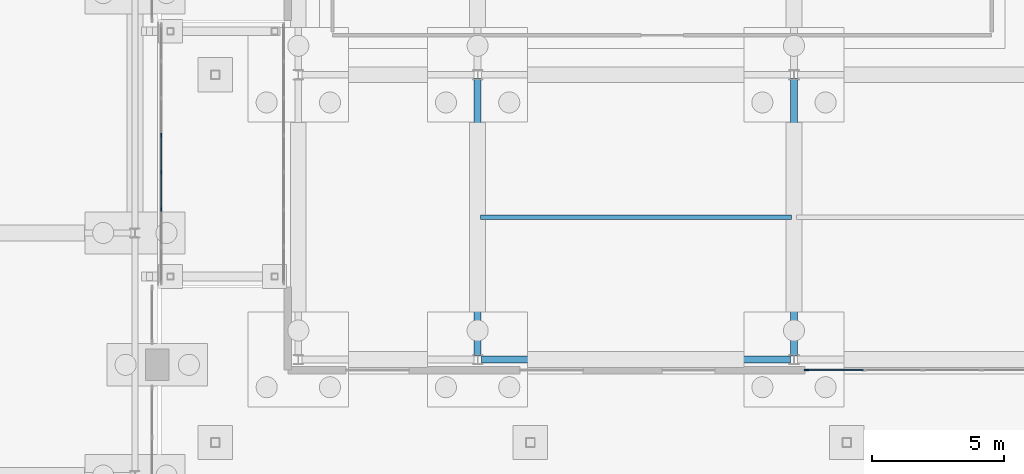
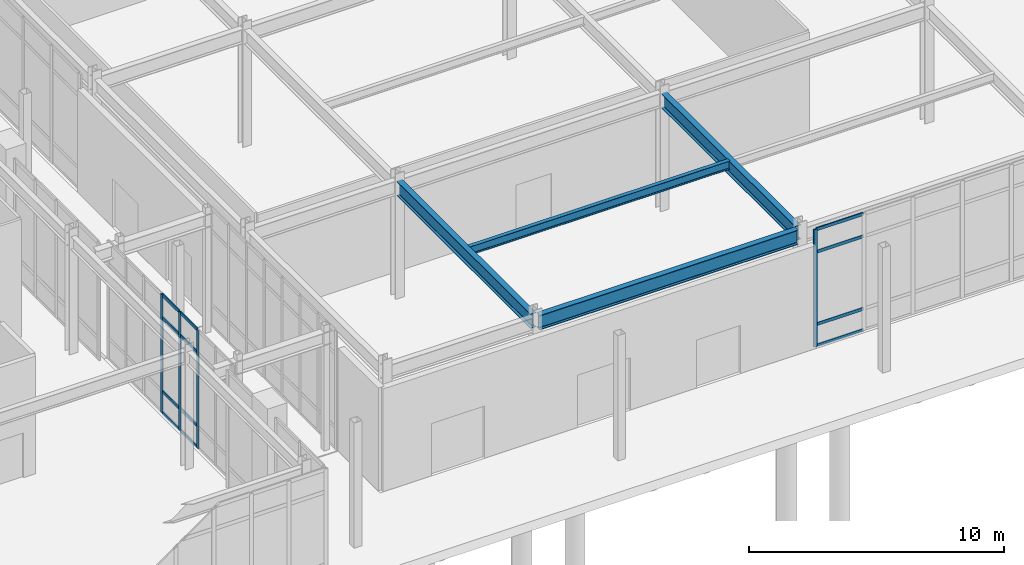
# One storey, part 56 of 143: 16 members, 4 beams, 2 elements without a shape of their own.
"""IFC4 building model written with IfcOpenShell, lengths in metres."""

from ifc_helpers import new_model, si_unit, derived_unit, direction, frame, origin, origin_2d, place, context, subcontext, project, spatial, rectangle, i_section, extrude, material, layer, layer_set, material_profile, profile_set, type_object, element, aggregate, save


model = new_model("IFC4")

# Units and contexts
model_context = context("Model", 3, precision=1e-05, world=origin(), true_north=direction((0.0, 1.0)))
body_context = subcontext(model_context, "Body", "Model", "MODEL_VIEW")
ifc_project = project(units=[si_unit("LENGTHUNIT", "METRE"), si_unit("AREAUNIT", "SQUARE_METRE"), si_unit("VOLUMEUNIT", "CUBIC_METRE"), si_unit("PLANEANGLEUNIT", "RADIAN"), si_unit("MASSUNIT", "GRAM", prefix="KILO"), derived_unit("THERMALTRANSMITTANCEUNIT", [(si_unit("MASSUNIT", "GRAM", prefix="KILO"), 1), (si_unit("TIMEUNIT", "SECOND"), -3), (si_unit("THERMODYNAMICTEMPERATUREUNIT", "KELVIN"), -1)])], contexts=[model_context])

# Site, building, storey
site_placement = place(None, origin())
site = spatial("IfcSite", under=ifc_project, at=site_placement, CompositionType="ELEMENT")
building_placement = place(site_placement, origin())
building = spatial("IfcBuilding", under=site, at=building_placement, Name="Valcora Ridge Arena", CompositionType="ELEMENT")
storey_placement = place(building_placement, origin())
storey = spatial("IfcBuildingStorey", under=building, at=storey_placement, Name="L00", CompositionType="ELEMENT", Elevation=0.0)

# Beams
ifc_material_1 = material(Name="Steel ASTM A572 Grade 50", Category="steel")
ifc_material_profile_1 = material_profile(ifc_material_1, i_section(OverallWidth=0.256103515625, OverallDepth=0.693115234375, WebThickness=0.014404296875, FlangeThickness=0.023681640625, FilletRadius=0.02001953125, at=origin_2d()), Name="W27X114")
ifc_profile_set_1 = profile_set([ifc_material_profile_1], Name="Steel ASTM A572 Grade 50")
beam_type_1 = type_object("IfcBeamType", Name="TY-BEAM-G-W27X114-Y", PredefinedType="BEAM", material=ifc_profile_set_1)
for number, where, z_axis, x_axis, name in (
    (1, (144.0, 5.340087890625, 5.2734375), (0.0, 1.0, 0.0), (-1.0, 0.0, 0.0), "G-W27X114-Y BEM-G-W27X114-Y-0007"),
    (2, (156.0, 5.340087890625, 5.2734375), (0.0, 1.0, 0.0), (-1.0, 0.0, 0.0), "G-W27X114-Y BEM-G-W27X114-Y-0013"),
):
    element("IfcBeam", number, at=place(storey_placement, frame(where, z_axis=z_axis, x_axis=x_axis)), inside=storey, type_object=beam_type_1, Name=name, PredefinedType="BEAM", context=body_context, shape_type="SweptSolid", body=[
        extrude(i_section(OverallWidth=0.256103515625, OverallDepth=0.693115234375, WebThickness=0.014404296875, FlangeThickness=0.023681640625, FilletRadius=0.02001953125, at=origin_2d()), origin(), (0.0, 0.0, 1.0), 10.52001953125),
    ])
ifc_material_profile_2 = material_profile(ifc_material_1, i_section(OverallWidth=0.177978515625, OverallDepth=0.406005859375, WebThickness=0.0078125, FlangeThickness=0.0126953125, FilletRadius=0.013916015625, at=origin_2d()), Name="W16X40")
ifc_profile_set_2 = profile_set([ifc_material_profile_2], Name="Steel ASTM A572 Grade 50")
beam_type_2 = type_object("IfcBeamType", Name="TY-BEAM-J-W16X40", PredefinedType="JOIST", material=ifc_profile_set_2)
beam_1_placement = place(storey_placement, frame((144.10009765625, 10.60009765625, 5.4169921875), z_axis=(1.0, 0.0, 0.0), x_axis=(0.0, 1.0, 0.0)))
element("IfcBeam", 3, at=beam_1_placement, inside=storey, type_object=beam_type_2, Name="J-W16X40 BEM-J-W16X40-0001", PredefinedType="JOIST", context=body_context, shape_type="SweptSolid", body=[
    extrude(i_section(OverallWidth=0.177978515625, OverallDepth=0.406005859375, WebThickness=0.0078125, FlangeThickness=0.0126953125, FilletRadius=0.013916015625, at=origin_2d()), origin(), (0.0, 0.0, 1.0), 11.7998046875),
])
ifc_material_profile_3 = material_profile(ifc_material_1, i_section(OverallWidth=0.256103515625, OverallDepth=0.693115234375, WebThickness=0.014404296875, FlangeThickness=0.023681640625, FilletRadius=0.02001953125, at=origin_2d()), Name="W27X114")
ifc_profile_set_3 = profile_set([ifc_material_profile_3], Name="Steel ASTM A572 Grade 50")
beam_type_3 = type_object("IfcBeamType", Name="TY-BEAM-SP-W27X114", PredefinedType="SPANDREL", material=ifc_profile_set_3)
beam_2_placement = place(storey_placement, frame((144.139892578125, 5.199951171875, 5.2734375), z_axis=(1.0, 0.0, 0.0), x_axis=(0.0, 1.0, 0.0)))
element("IfcBeam", 4, at=beam_2_placement, inside=storey, type_object=beam_type_3, Name="SP-W27X114 BEM-SP-W27X114-0002", PredefinedType="SPANDREL", context=body_context, shape_type="SweptSolid", body=[
    extrude(i_section(OverallWidth=0.256103515625, OverallDepth=0.693115234375, WebThickness=0.014404296875, FlangeThickness=0.023681640625, FilletRadius=0.02001953125, at=origin_2d()), origin(), (0.0, 0.0, 1.0), 11.72021484375),
])

# Curtain wall, members
ifc_material_2 = material(Name="Anodised dark bronze architectural aluminium 6063-T6", Category="aluminium")
ifc_layer_1 = layer(ifc_material_2, 0.14990234375, Name="Anodised dark bronze architectural aluminium 6063-T6")
ifc_layer_set_1 = layer_set([ifc_layer_1], Name="Anodised dark bronze architectural aluminium 6063-T6")
curtain_wall_type_1 = type_object("IfcCurtainWallType", Name="TY-CURTAINWALL-CW-BRG-098X57", PredefinedType="NOTDEFINED", material=ifc_layer_set_1)
curtain_wall_1_placement = place(storey_placement, origin())
curtain_wall_1 = element("IfcCurtainWall", 5, at=curtain_wall_1_placement, inside=storey, type_object=curtain_wall_type_1, Name="CW-BRG-098X57 CW-0350", PredefinedType="NOTDEFINED")
ifc_material_profile_4 = material_profile(ifc_material_2, rectangle(XDim=0.050048828125, YDim=0.14990234375, at=origin_2d()), Name="ALU MULLION 50x150")
ifc_profile_set_4 = profile_set([ifc_material_profile_4], Name="Anodised dark bronze architectural aluminium 6063-T6")
member_type_1 = type_object("IfcMemberType", Name="TY-MEM-CWM-50x150", PredefinedType="MULLION", material=ifc_profile_set_4)
member_1_placement = place(storey_placement, frame((132.0, 10.891357421875, 0.0), z_axis=(0.0, 0.0, 1.0), x_axis=(-1.0, 0.0, 0.0)))
member_1 = element("IfcMember", 6, at=member_1_placement, type_object=member_type_1, Name="CW-0350/CWM-50x150/M02", PredefinedType="MULLION", context=body_context, shape_type="SweptSolid", body=[
    extrude(rectangle(XDim=0.050048828125, YDim=0.14990234375, at=origin_2d()), origin(), (0.0, 0.0, 1.0), 5.679931640625),
])
member_2_placement = place(storey_placement, frame((132.0, 12.297119140625, 0.0), z_axis=(0.0, 0.0, 1.0), x_axis=(-1.0, 0.0, 0.0)))
member_2 = element("IfcMember", 7, at=member_2_placement, type_object=member_type_1, Name="CW-0350/CWM-50x150/M03", PredefinedType="MULLION", context=body_context, shape_type="SweptSolid", body=[
    extrude(rectangle(XDim=0.050048828125, YDim=0.14990234375, at=origin_2d()), origin(), (0.0, 0.0, 1.0), 5.679931640625),
])
member_3_placement = place(storey_placement, frame((132.0, 13.702880859375, 0.0), z_axis=(0.0, 0.0, 1.0), x_axis=(-1.0, 0.0, 0.0)))
member_3 = element("IfcMember", 8, at=member_3_placement, type_object=member_type_1, Name="CW-0350/CWM-50x150/M04", PredefinedType="MULLION", context=body_context, shape_type="SweptSolid", body=[
    extrude(rectangle(XDim=0.050048828125, YDim=0.14990234375, at=origin_2d()), origin(), (0.0, 0.0, 1.0), 5.679931640625),
])

ifc_layer_2 = layer(ifc_material_2, 0.179931640625, Name="Anodised dark bronze architectural aluminium 6063-T6")
ifc_layer_set_2 = layer_set([ifc_layer_2], Name="Anodised dark bronze architectural aluminium 6063-T6")
curtain_wall_type_2 = type_object("IfcCurtainWallType", Name="TY-CURTAINWALL-CW-V2-GLAZ-111X56", PredefinedType="NOTDEFINED", material=ifc_layer_set_2)
curtain_wall_2_placement = place(storey_placement, origin())
curtain_wall_2 = element("IfcCurtainWall", 9, at=curtain_wall_2_placement, inside=storey, type_object=curtain_wall_type_2, Name="CW-V2-GLAZ-111X56 CW-0025", PredefinedType="NOTDEFINED")
ifc_material_profile_5 = material_profile(ifc_material_2, rectangle(XDim=0.06005859375, YDim=0.179931640625, at=origin_2d()), Name="ALU MULLION 60x180")
ifc_profile_set_5 = profile_set([ifc_material_profile_5], Name="Anodised dark bronze architectural aluminium 6063-T6")
member_type_2 = type_object("IfcMemberType", Name="TY-MEM-CWM-60x180", PredefinedType="MULLION", material=ifc_profile_set_5)
member_4_placement = place(storey_placement, frame((156.469482421875, 4.800048828125, 0.0), z_axis=(0.0, 0.0, 1.0), x_axis=(0.0, 1.0, 0.0)))
member_4 = element("IfcMember", 10, at=member_4_placement, type_object=member_type_2, Name="CW-0025/CWM-60x180/M00", PredefinedType="MULLION", context=body_context, shape_type="SweptSolid", body=[
    extrude(rectangle(XDim=0.06005859375, YDim=0.179931640625, at=origin_2d()), origin(), (0.0, 0.0, 1.0), 5.6201171875),
])
ifc_material_profile_6 = material_profile(ifc_material_2, rectangle(XDim=0.050048828125, YDim=0.14990234375, at=origin_2d()), Name="ALU TRANSOM 50x150")
ifc_profile_set_6 = profile_set([ifc_material_profile_6], Name="Anodised dark bronze architectural aluminium 6063-T6")
member_type_3 = type_object("IfcMemberType", Name="TY-MEM-CWT-50x150", PredefinedType="USERDEFINED", material=ifc_profile_set_6)
member_5_placement = place(storey_placement, frame((156.49951171875, 4.800048828125, 0.02490234375), z_axis=(1.0, 0.0, 0.0), x_axis=(0.0, 1.0, 0.0)))
member_5 = element("IfcMember", 11, at=member_5_placement, type_object=member_type_3, Name="CW-0025/CWT-50x150/T00-00", ObjectType="TRANSOM", PredefinedType="USERDEFINED", context=body_context, shape_type="SweptSolid", body=[
    extrude(rectangle(XDim=0.050048828125, YDim=0.14990234375, at=origin_2d()), origin(), (0.0, 0.0, 1.0), 2.134033203125),
])
member_6_placement = place(storey_placement, frame((156.49951171875, 4.800048828125, 1.050048828125), z_axis=(1.0, 0.0, 0.0), x_axis=(0.0, 1.0, 0.0)))
member_6 = element("IfcMember", 12, at=member_6_placement, type_object=member_type_3, Name="CW-0025/CWT-50x150/T00-01", ObjectType="TRANSOM", PredefinedType="USERDEFINED", context=body_context, shape_type="SweptSolid", body=[
    extrude(rectangle(XDim=0.050048828125, YDim=0.14990234375, at=origin_2d()), origin(), (0.0, 0.0, 1.0), 2.134033203125),
])
member_7_placement = place(storey_placement, frame((156.49951171875, 4.800048828125, 4.52001953125), z_axis=(1.0, 0.0, 0.0), x_axis=(0.0, 1.0, 0.0)))
member_7 = element("IfcMember", 13, at=member_7_placement, type_object=member_type_3, Name="CW-0025/CWT-50x150/T00-02", ObjectType="TRANSOM", PredefinedType="USERDEFINED", context=body_context, shape_type="SweptSolid", body=[
    extrude(rectangle(XDim=0.050048828125, YDim=0.14990234375, at=origin_2d()), origin(), (0.0, 0.0, 1.0), 2.134033203125),
])
member_8_placement = place(storey_placement, frame((156.49951171875, 4.800048828125, 5.594970703125), z_axis=(1.0, 0.0, 0.0), x_axis=(0.0, 1.0, 0.0)))
member_8 = element("IfcMember", 14, at=member_8_placement, type_object=member_type_3, Name="CW-0025/CWT-50x150/T00-03", ObjectType="TRANSOM", PredefinedType="USERDEFINED", context=body_context, shape_type="SweptSolid", body=[
    extrude(rectangle(XDim=0.050048828125, YDim=0.14990234375, at=origin_2d()), origin(), (0.0, 0.0, 1.0), 2.134033203125),
])
aggregate(curtain_wall_2, [member_4, member_5, member_6, member_7, member_8])

# Member
member_9_placement = place(storey_placement, frame((132.0, 10.916015625, 0.02490234375), z_axis=(0.0, 1.0, 0.0), x_axis=(-1.0, 0.0, 0.0)))
member_9 = element("IfcMember", 15, at=member_9_placement, type_object=member_type_3, Name="CW-0350/CWT-50x150/T02-00", ObjectType="TRANSOM", PredefinedType="USERDEFINED", context=body_context, shape_type="SweptSolid", body=[
    extrude(rectangle(XDim=0.050048828125, YDim=0.14990234375, at=origin_2d()), origin(), (0.0, 0.0, 1.0), 1.35595703125),
])

member_10_placement = place(storey_placement, frame((132.0, 10.916015625, 1.050048828125), z_axis=(0.0, 1.0, 0.0), x_axis=(-1.0, 0.0, 0.0)))
member_10 = element("IfcMember", 16, at=member_10_placement, type_object=member_type_3, Name="CW-0350/CWT-50x150/T02-01", ObjectType="TRANSOM", PredefinedType="USERDEFINED", context=body_context, shape_type="SweptSolid", body=[
    extrude(rectangle(XDim=0.050048828125, YDim=0.14990234375, at=origin_2d()), origin(), (0.0, 0.0, 1.0), 1.35595703125),
])

member_11_placement = place(storey_placement, frame((132.0, 10.916015625, 4.580078125), z_axis=(0.0, 1.0, 0.0), x_axis=(-1.0, 0.0, 0.0)))
member_11 = element("IfcMember", 17, at=member_11_placement, type_object=member_type_3, Name="CW-0350/CWT-50x150/T02-02", ObjectType="TRANSOM", PredefinedType="USERDEFINED", context=body_context, shape_type="SweptSolid", body=[
    extrude(rectangle(XDim=0.050048828125, YDim=0.14990234375, at=origin_2d()), origin(), (0.0, 0.0, 1.0), 1.35595703125),
])

member_12_placement = place(storey_placement, frame((132.0, 10.916015625, 5.655029296875), z_axis=(0.0, 1.0, 0.0), x_axis=(-1.0, 0.0, 0.0)))
member_12 = element("IfcMember", 18, at=member_12_placement, type_object=member_type_3, Name="CW-0350/CWT-50x150/T02-03", ObjectType="TRANSOM", PredefinedType="USERDEFINED", context=body_context, shape_type="SweptSolid", body=[
    extrude(rectangle(XDim=0.050048828125, YDim=0.14990234375, at=origin_2d()), origin(), (0.0, 0.0, 1.0), 1.35595703125),
])

member_13_placement = place(storey_placement, frame((132.0, 12.322021484375, 0.02490234375), z_axis=(0.0, 1.0, 0.0), x_axis=(-1.0, 0.0, 0.0)))
member_13 = element("IfcMember", 19, at=member_13_placement, type_object=member_type_3, Name="CW-0350/CWT-50x150/T03-00", ObjectType="TRANSOM", PredefinedType="USERDEFINED", context=body_context, shape_type="SweptSolid", body=[
    extrude(rectangle(XDim=0.050048828125, YDim=0.14990234375, at=origin_2d()), origin(), (0.0, 0.0, 1.0), 1.35595703125),
])

member_14_placement = place(storey_placement, frame((132.0, 12.322021484375, 1.050048828125), z_axis=(0.0, 1.0, 0.0), x_axis=(-1.0, 0.0, 0.0)))
member_14 = element("IfcMember", 20, at=member_14_placement, type_object=member_type_3, Name="CW-0350/CWT-50x150/T03-01", ObjectType="TRANSOM", PredefinedType="USERDEFINED", context=body_context, shape_type="SweptSolid", body=[
    extrude(rectangle(XDim=0.050048828125, YDim=0.14990234375, at=origin_2d()), origin(), (0.0, 0.0, 1.0), 1.35595703125),
])

member_15_placement = place(storey_placement, frame((132.0, 12.322021484375, 4.580078125), z_axis=(0.0, 1.0, 0.0), x_axis=(-1.0, 0.0, 0.0)))
member_15 = element("IfcMember", 21, at=member_15_placement, type_object=member_type_3, Name="CW-0350/CWT-50x150/T03-02", ObjectType="TRANSOM", PredefinedType="USERDEFINED", context=body_context, shape_type="SweptSolid", body=[
    extrude(rectangle(XDim=0.050048828125, YDim=0.14990234375, at=origin_2d()), origin(), (0.0, 0.0, 1.0), 1.35595703125),
])

member_16_placement = place(storey_placement, frame((132.0, 12.322021484375, 5.655029296875), z_axis=(0.0, 1.0, 0.0), x_axis=(-1.0, 0.0, 0.0)))
member_16 = element("IfcMember", 22, at=member_16_placement, type_object=member_type_3, Name="CW-0350/CWT-50x150/T03-03", ObjectType="TRANSOM", PredefinedType="USERDEFINED", context=body_context, shape_type="SweptSolid", body=[
    extrude(rectangle(XDim=0.050048828125, YDim=0.14990234375, at=origin_2d()), origin(), (0.0, 0.0, 1.0), 1.35595703125),
])

aggregate(curtain_wall_1, [member_1, member_2, member_3, member_9, member_10, member_11, member_12, member_13, member_14, member_15, member_16])

save(model, "model.ifc")
